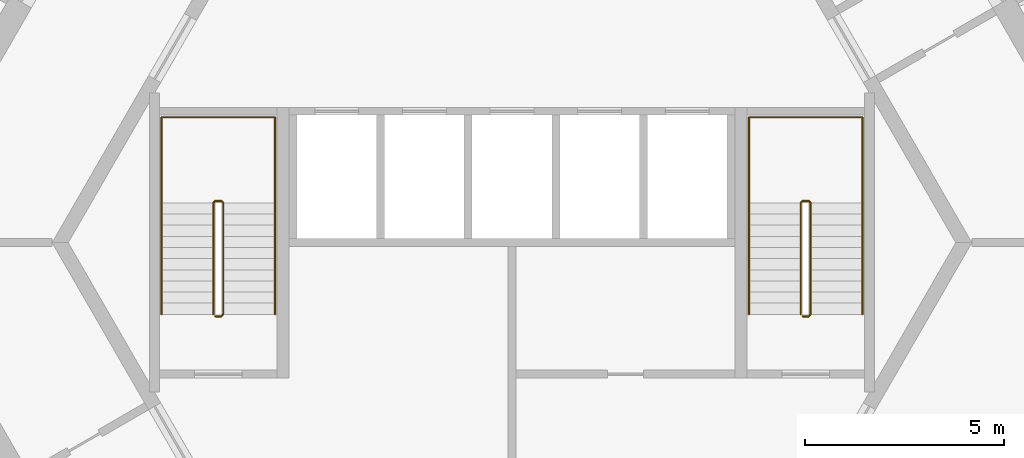
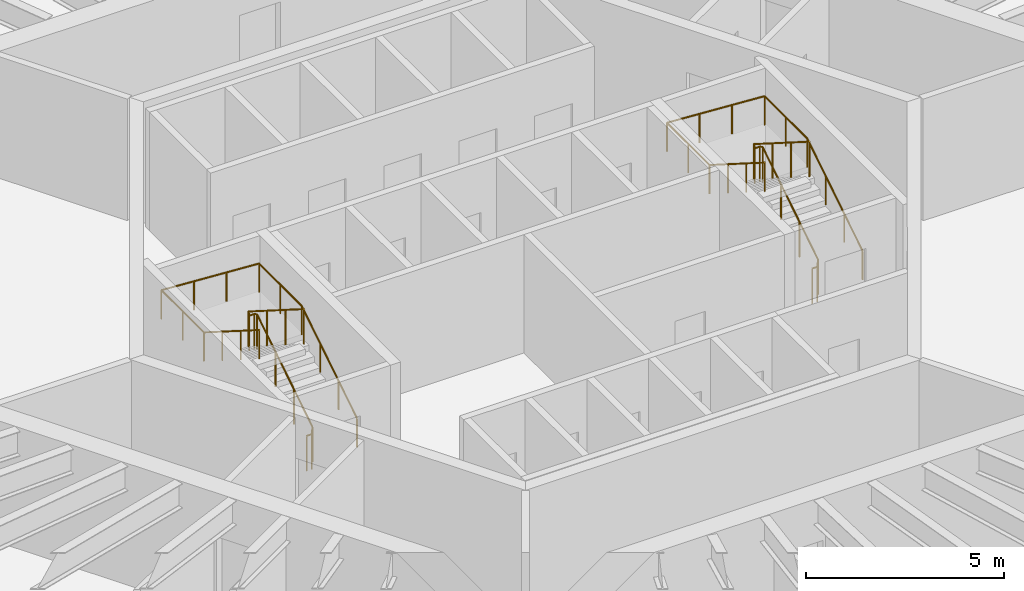
# One storey, part 12 of 12: 4 railings.
"""IFC4 building model written with IfcOpenShell, lengths in metres."""

from ifc_helpers import new_model, si_unit, direction, frame, origin, origin_2d, place, context, subcontext, project, spatial, circle, extrude, material, type_object, element, save


model = new_model("IFC4")

# Units and contexts
model_context = context("Model", 3, precision=1e-05, world=origin(), true_north=direction((0.0, 1.0)))
body_context = subcontext(model_context, "Body", "Model", "MODEL_VIEW")
ifc_project = project(units=[si_unit("LENGTHUNIT", "METRE"), si_unit("AREAUNIT", "SQUARE_METRE"), si_unit("VOLUMEUNIT", "CUBIC_METRE"), si_unit("PLANEANGLEUNIT", "RADIAN"), si_unit("MASSUNIT", "GRAM", prefix="KILO")], contexts=[model_context])

# Site, building, storey
site_placement = place(None, origin())
site = spatial("IfcSite", under=ifc_project, at=site_placement, CompositionType="ELEMENT")
building_placement = place(site_placement, origin())
building = spatial("IfcBuilding", under=site, at=building_placement, Name="Tarnside Tower", CompositionType="ELEMENT")
storey_placement = place(building_placement, frame((0.0, 0.0, 53.10009765625)))
storey = spatial("IfcBuildingStorey", under=building, at=storey_placement, Name="L10", CompositionType="ELEMENT", Elevation=53.10009765625)

# Railings
ifc_material = material(Name="Stainless steel", Category="steel")
railing_type_1 = type_object("IfcRailingType", Name="Stair guard 1100", PredefinedType="GUARDRAIL", material=ifc_material)
railing_1_placement = place(storey_placement, frame((7.300048828125, -1.85009765625, 0.0)))
element("IfcRailing", 1, at=railing_1_placement, inside=storey, type_object=railing_type_1, Name="L10 ST1 stair guard 1", PredefinedType="GUARDRAIL", context=body_context, shape_type="SweptSolid", body=[
    extrude(circle(Radius=0.02392578125, at=origin_2d()), frame((0.0, 0.0, 1.076171875), z_axis=(1.0, 0.0, 0.0), x_axis=(0.0, 1.0, 0.0)), (0.0, 0.0, 1.0), 0.14990234375),
    extrude(circle(Radius=0.02392578125, at=origin_2d()), frame((0.14990234375, 0.0, 1.076171875), z_axis=(0.262233686654, 0.262233686654, 0.928691007369), x_axis=(-0.707106781187, 0.707106781187, 0.0)), (0.0, 0.0, 1.0), 0.19091796875),
    extrude(circle(Radius=0.02392578125, at=origin_2d()), frame((0.199951171875, 0.050048828125, 1.25341796875), z_axis=(0.0, 0.844908973607, 0.534910110503), x_axis=(-1.0, 0.0, 0.0)), (0.0, 0.0, 1.0), 3.31396484375),
    extrude(circle(Radius=0.02392578125, at=origin_2d()), frame((0.199951171875, 2.85009765625, 3.02587890625), z_axis=(-0.707106781187, 0.707106781187, 0.0), x_axis=(-0.707106781187, -0.707106781187, 0.0)), (0.0, 0.0, 1.0), 0.07080078125),
    extrude(circle(Radius=0.02392578125, at=origin_2d()), frame((0.14990234375, 2.900146484375, 3.02587890625), z_axis=(-1.0, 0.0, 0.0), x_axis=(0.0, -1.0, 0.0)), (0.0, 0.0, 1.0), 0.14990234375),
    extrude(circle(Radius=0.02392578125, at=origin_2d()), frame((0.0, 2.900146484375, 3.02587890625), z_axis=(-0.262233686654, -0.262233686654, 0.928691007369), x_axis=(0.707106781187, -0.707106781187, 0.0)), (0.0, 0.0, 1.0), 0.19091796875),
    extrude(circle(Radius=0.02392578125, at=origin_2d()), frame((-0.050048828125, 2.85009765625, 3.203125), z_axis=(0.0, -0.844908973607, 0.534910110503), x_axis=(1.0, 0.0, 0.0)), (0.0, 0.0, 1.0), 3.31396484375),
    extrude(circle(Radius=0.02099609375, at=origin_2d()), origin(), (0.0, 0.0, 1.0), 1.052001953125),
    extrude(circle(Radius=0.02099609375, at=origin_2d()), frame((0.14990234375, 0.0, 0.0)), (0.0, 0.0, 1.0), 1.052001953125),
    extrude(circle(Radius=0.02099609375, at=origin_2d()), frame((0.199951171875, 0.050048828125, 0.17724609375)), (0.0, 0.0, 1.0), 1.052001953125),
    extrude(circle(Radius=0.02099609375, at=origin_2d()), frame((0.199951171875, 0.9833984375, 0.76806640625)), (0.0, 0.0, 1.0), 1.052001953125),
    extrude(circle(Radius=0.02099609375, at=origin_2d()), frame((0.199951171875, 1.916748046875, 1.359130859375)), (0.0, 0.0, 1.0), 1.052001953125),
    extrude(circle(Radius=0.02099609375, at=origin_2d()), frame((0.199951171875, 2.85009765625, 1.949951171875)), (0.0, 0.0, 1.0), 1.052001953125),
    extrude(circle(Radius=0.02099609375, at=origin_2d()), frame((0.14990234375, 2.900146484375, 1.949951171875)), (0.0, 0.0, 1.0), 1.052001953125),
    extrude(circle(Radius=0.02099609375, at=origin_2d()), frame((0.0, 2.900146484375, 1.949951171875)), (0.0, 0.0, 1.0), 1.052001953125),
    extrude(circle(Radius=0.02099609375, at=origin_2d()), frame((-0.050048828125, 2.85009765625, 2.127197265625)), (0.0, 0.0, 1.0), 1.052001953125),
    extrude(circle(Radius=0.02099609375, at=origin_2d()), frame((-0.050048828125, 1.916748046875, 2.718017578125)), (0.0, 0.0, 1.0), 1.052001953125),
    extrude(circle(Radius=0.02099609375, at=origin_2d()), frame((-0.050048828125, 0.9833984375, 3.30908203125)), (0.0, 0.0, 1.0), 1.052001953125),
    extrude(circle(Radius=0.02099609375, at=origin_2d()), frame((-0.050048828125, 0.050048828125, 3.89990234375)), (0.0, 0.0, 1.0), 1.052001953125),
])
railing_2_placement = place(storey_placement, frame((-7.449951171875, -1.85009765625, 0.0)))
element("IfcRailing", 2, at=railing_2_placement, inside=storey, type_object=railing_type_1, Name="L10 ST2 stair guard 1", PredefinedType="GUARDRAIL", context=body_context, shape_type="SweptSolid", body=[
    extrude(circle(Radius=0.02392578125, at=origin_2d()), frame((0.0, 0.0, 1.076171875), z_axis=(1.0, 0.0, 0.0), x_axis=(0.0, 1.0, 0.0)), (0.0, 0.0, 1.0), 0.14990234375),
    extrude(circle(Radius=0.02392578125, at=origin_2d()), frame((0.14990234375, 0.0, 1.076171875), z_axis=(0.262233686654, 0.262233686654, 0.928691007369), x_axis=(-0.707106781187, 0.707106781187, 0.0)), (0.0, 0.0, 1.0), 0.19091796875),
    extrude(circle(Radius=0.02392578125, at=origin_2d()), frame((0.199951171875, 0.050048828125, 1.25341796875), z_axis=(0.0, 0.844908973607, 0.534910110503), x_axis=(-1.0, 0.0, 0.0)), (0.0, 0.0, 1.0), 3.31396484375),
    extrude(circle(Radius=0.02392578125, at=origin_2d()), frame((0.199951171875, 2.85009765625, 3.02587890625), z_axis=(-0.707106781187, 0.707106781187, 0.0), x_axis=(-0.707106781187, -0.707106781187, 0.0)), (0.0, 0.0, 1.0), 0.07080078125),
    extrude(circle(Radius=0.02392578125, at=origin_2d()), frame((0.14990234375, 2.900146484375, 3.02587890625), z_axis=(-1.0, 0.0, 0.0), x_axis=(0.0, -1.0, 0.0)), (0.0, 0.0, 1.0), 0.14990234375),
    extrude(circle(Radius=0.02392578125, at=origin_2d()), frame((0.0, 2.900146484375, 3.02587890625), z_axis=(-0.262233686654, -0.262233686654, 0.928691007369), x_axis=(0.707106781187, -0.707106781187, 0.0)), (0.0, 0.0, 1.0), 0.19091796875),
    extrude(circle(Radius=0.02392578125, at=origin_2d()), frame((-0.050048828125, 2.85009765625, 3.203125), z_axis=(0.0, -0.844908973607, 0.534910110503), x_axis=(1.0, 0.0, 0.0)), (0.0, 0.0, 1.0), 3.31396484375),
    extrude(circle(Radius=0.02099609375, at=origin_2d()), origin(), (0.0, 0.0, 1.0), 1.052001953125),
    extrude(circle(Radius=0.02099609375, at=origin_2d()), frame((0.14990234375, 0.0, 0.0)), (0.0, 0.0, 1.0), 1.052001953125),
    extrude(circle(Radius=0.02099609375, at=origin_2d()), frame((0.199951171875, 0.050048828125, 0.17724609375)), (0.0, 0.0, 1.0), 1.052001953125),
    extrude(circle(Radius=0.02099609375, at=origin_2d()), frame((0.199951171875, 0.9833984375, 0.76806640625)), (0.0, 0.0, 1.0), 1.052001953125),
    extrude(circle(Radius=0.02099609375, at=origin_2d()), frame((0.199951171875, 1.916748046875, 1.359130859375)), (0.0, 0.0, 1.0), 1.052001953125),
    extrude(circle(Radius=0.02099609375, at=origin_2d()), frame((0.199951171875, 2.85009765625, 1.949951171875)), (0.0, 0.0, 1.0), 1.052001953125),
    extrude(circle(Radius=0.02099609375, at=origin_2d()), frame((0.14990234375, 2.900146484375, 1.949951171875)), (0.0, 0.0, 1.0), 1.052001953125),
    extrude(circle(Radius=0.02099609375, at=origin_2d()), frame((0.0, 2.900146484375, 1.949951171875)), (0.0, 0.0, 1.0), 1.052001953125),
    extrude(circle(Radius=0.02099609375, at=origin_2d()), frame((-0.050048828125, 2.85009765625, 2.127197265625)), (0.0, 0.0, 1.0), 1.052001953125),
    extrude(circle(Radius=0.02099609375, at=origin_2d()), frame((-0.050048828125, 1.916748046875, 2.718017578125)), (0.0, 0.0, 1.0), 1.052001953125),
    extrude(circle(Radius=0.02099609375, at=origin_2d()), frame((-0.050048828125, 0.9833984375, 3.30908203125)), (0.0, 0.0, 1.0), 1.052001953125),
    extrude(circle(Radius=0.02099609375, at=origin_2d()), frame((-0.050048828125, 0.050048828125, 3.89990234375)), (0.0, 0.0, 1.0), 1.052001953125),
])
railing_type_2 = type_object("IfcRailingType", Name="Stair handrail 900", PredefinedType="HANDRAIL", material=ifc_material)
railing_3_placement = place(storey_placement, frame((8.800048828125, -1.800048828125, 0.17724609375)))
element("IfcRailing", 3, at=railing_3_placement, inside=storey, type_object=railing_type_2, Name="L10 ST1 stair handrail 1", PredefinedType="HANDRAIL", context=body_context, shape_type="SweptSolid", body=[
    extrude(circle(Radius=0.02392578125, at=origin_2d()), frame((0.0, 0.0, 0.8857421875), z_axis=(0.0, 0.844908973607, 0.534910110503), x_axis=(-1.0, 0.0, 0.0)), (0.0, 0.0, 1.0), 3.31396484375),
    extrude(circle(Radius=0.02392578125, at=origin_2d()), frame((0.0, 2.800048828125, 2.65869140625), z_axis=(0.0, 1.0, 0.0), x_axis=(-1.0, 0.0, 0.0)), (0.0, 0.0, 1.0), 2.14990234375),
    extrude(circle(Radius=0.02392578125, at=origin_2d()), frame((0.0, 4.949951171875, 2.65869140625), z_axis=(-0.998071825391, 0.0, 0.06206956872), x_axis=(0.0, -1.0, 0.0)), (0.0, 0.0, 1.0), 2.855712890625),
    extrude(circle(Radius=0.02392578125, at=origin_2d()), frame((-2.85009765625, 4.949951171875, 2.8359375), z_axis=(0.0, -1.0, 0.0), x_axis=(1.0, 0.0, 0.0)), (0.0, 0.0, 1.0), 2.14990234375),
    extrude(circle(Radius=0.02392578125, at=origin_2d()), frame((-2.85009765625, 2.800048828125, 2.8359375), z_axis=(0.0, -0.844908973607, 0.534910110503), x_axis=(1.0, 0.0, 0.0)), (0.0, 0.0, 1.0), 3.31396484375),
    extrude(circle(Radius=0.02099609375, at=origin_2d()), origin(), (0.0, 0.0, 1.0), 0.86181640625),
    extrude(circle(Radius=0.02099609375, at=origin_2d()), frame((0.0, 0.933349609375, 0.5908203125)), (0.0, 0.0, 1.0), 0.86181640625),
    extrude(circle(Radius=0.02099609375, at=origin_2d()), frame((0.0, 1.86669921875, 1.181884765625)), (0.0, 0.0, 1.0), 0.86181640625),
    extrude(circle(Radius=0.02099609375, at=origin_2d()), frame((0.0, 2.800048828125, 1.772705078125)), (0.0, 0.0, 1.0), 0.86181640625),
    extrude(circle(Radius=0.02099609375, at=origin_2d()), frame((0.0, 3.875, 1.772705078125)), (0.0, 0.0, 1.0), 0.86181640625),
    extrude(circle(Radius=0.02099609375, at=origin_2d()), frame((0.0, 4.949951171875, 1.772705078125)), (0.0, 0.0, 1.0), 0.86181640625),
    extrude(circle(Radius=0.02099609375, at=origin_2d()), frame((-0.949951171875, 4.949951171875, 1.831787109375)), (0.0, 0.0, 1.0), 0.86181640625),
    extrude(circle(Radius=0.02099609375, at=origin_2d()), frame((-1.900146484375, 4.949951171875, 1.890869140625)), (0.0, 0.0, 1.0), 0.86181640625),
    extrude(circle(Radius=0.02099609375, at=origin_2d()), frame((-2.85009765625, 4.949951171875, 1.949951171875)), (0.0, 0.0, 1.0), 0.86181640625),
    extrude(circle(Radius=0.02099609375, at=origin_2d()), frame((-2.85009765625, 3.875, 1.949951171875)), (0.0, 0.0, 1.0), 0.86181640625),
    extrude(circle(Radius=0.02099609375, at=origin_2d()), frame((-2.85009765625, 2.800048828125, 1.949951171875)), (0.0, 0.0, 1.0), 0.86181640625),
    extrude(circle(Radius=0.02099609375, at=origin_2d()), frame((-2.85009765625, 1.86669921875, 2.540771484375)), (0.0, 0.0, 1.0), 0.86181640625),
    extrude(circle(Radius=0.02099609375, at=origin_2d()), frame((-2.85009765625, 0.933349609375, 3.1318359375)), (0.0, 0.0, 1.0), 0.86181640625),
    extrude(circle(Radius=0.02099609375, at=origin_2d()), frame((-2.85009765625, 0.0, 3.72265625)), (0.0, 0.0, 1.0), 0.86181640625),
])
railing_4_placement = place(storey_placement, frame((-5.949951171875, -1.800048828125, 0.17724609375)))
element("IfcRailing", 4, at=railing_4_placement, inside=storey, type_object=railing_type_2, Name="L10 ST2 stair handrail 1", PredefinedType="HANDRAIL", context=body_context, shape_type="SweptSolid", body=[
    extrude(circle(Radius=0.02392578125, at=origin_2d()), frame((0.0, 0.0, 0.8857421875), z_axis=(0.0, 0.844908973607, 0.534910110503), x_axis=(-1.0, 0.0, 0.0)), (0.0, 0.0, 1.0), 3.31396484375),
    extrude(circle(Radius=0.02392578125, at=origin_2d()), frame((0.0, 2.800048828125, 2.65869140625), z_axis=(0.0, 1.0, 0.0), x_axis=(-1.0, 0.0, 0.0)), (0.0, 0.0, 1.0), 2.14990234375),
    extrude(circle(Radius=0.02392578125, at=origin_2d()), frame((0.0, 4.949951171875, 2.65869140625), z_axis=(-0.998071825391, 0.0, 0.06206956872), x_axis=(0.0, -1.0, 0.0)), (0.0, 0.0, 1.0), 2.855712890625),
    extrude(circle(Radius=0.02392578125, at=origin_2d()), frame((-2.85009765625, 4.949951171875, 2.8359375), z_axis=(0.0, -1.0, 0.0), x_axis=(1.0, 0.0, 0.0)), (0.0, 0.0, 1.0), 2.14990234375),
    extrude(circle(Radius=0.02392578125, at=origin_2d()), frame((-2.85009765625, 2.800048828125, 2.8359375), z_axis=(0.0, -0.844908973607, 0.534910110503), x_axis=(1.0, 0.0, 0.0)), (0.0, 0.0, 1.0), 3.31396484375),
    extrude(circle(Radius=0.02099609375, at=origin_2d()), origin(), (0.0, 0.0, 1.0), 0.86181640625),
    extrude(circle(Radius=0.02099609375, at=origin_2d()), frame((0.0, 0.933349609375, 0.5908203125)), (0.0, 0.0, 1.0), 0.86181640625),
    extrude(circle(Radius=0.02099609375, at=origin_2d()), frame((0.0, 1.86669921875, 1.181884765625)), (0.0, 0.0, 1.0), 0.86181640625),
    extrude(circle(Radius=0.02099609375, at=origin_2d()), frame((0.0, 2.800048828125, 1.772705078125)), (0.0, 0.0, 1.0), 0.86181640625),
    extrude(circle(Radius=0.02099609375, at=origin_2d()), frame((0.0, 3.875, 1.772705078125)), (0.0, 0.0, 1.0), 0.86181640625),
    extrude(circle(Radius=0.02099609375, at=origin_2d()), frame((0.0, 4.949951171875, 1.772705078125)), (0.0, 0.0, 1.0), 0.86181640625),
    extrude(circle(Radius=0.02099609375, at=origin_2d()), frame((-0.949951171875, 4.949951171875, 1.831787109375)), (0.0, 0.0, 1.0), 0.86181640625),
    extrude(circle(Radius=0.02099609375, at=origin_2d()), frame((-1.900146484375, 4.949951171875, 1.890869140625)), (0.0, 0.0, 1.0), 0.86181640625),
    extrude(circle(Radius=0.02099609375, at=origin_2d()), frame((-2.85009765625, 4.949951171875, 1.949951171875)), (0.0, 0.0, 1.0), 0.86181640625),
    extrude(circle(Radius=0.02099609375, at=origin_2d()), frame((-2.85009765625, 3.875, 1.949951171875)), (0.0, 0.0, 1.0), 0.86181640625),
    extrude(circle(Radius=0.02099609375, at=origin_2d()), frame((-2.85009765625, 2.800048828125, 1.949951171875)), (0.0, 0.0, 1.0), 0.86181640625),
    extrude(circle(Radius=0.02099609375, at=origin_2d()), frame((-2.85009765625, 1.86669921875, 2.540771484375)), (0.0, 0.0, 1.0), 0.86181640625),
    extrude(circle(Radius=0.02099609375, at=origin_2d()), frame((-2.85009765625, 0.933349609375, 3.1318359375)), (0.0, 0.0, 1.0), 0.86181640625),
    extrude(circle(Radius=0.02099609375, at=origin_2d()), frame((-2.85009765625, 0.0, 3.72265625)), (0.0, 0.0, 1.0), 0.86181640625),
])

save(model, "model.ifc")
